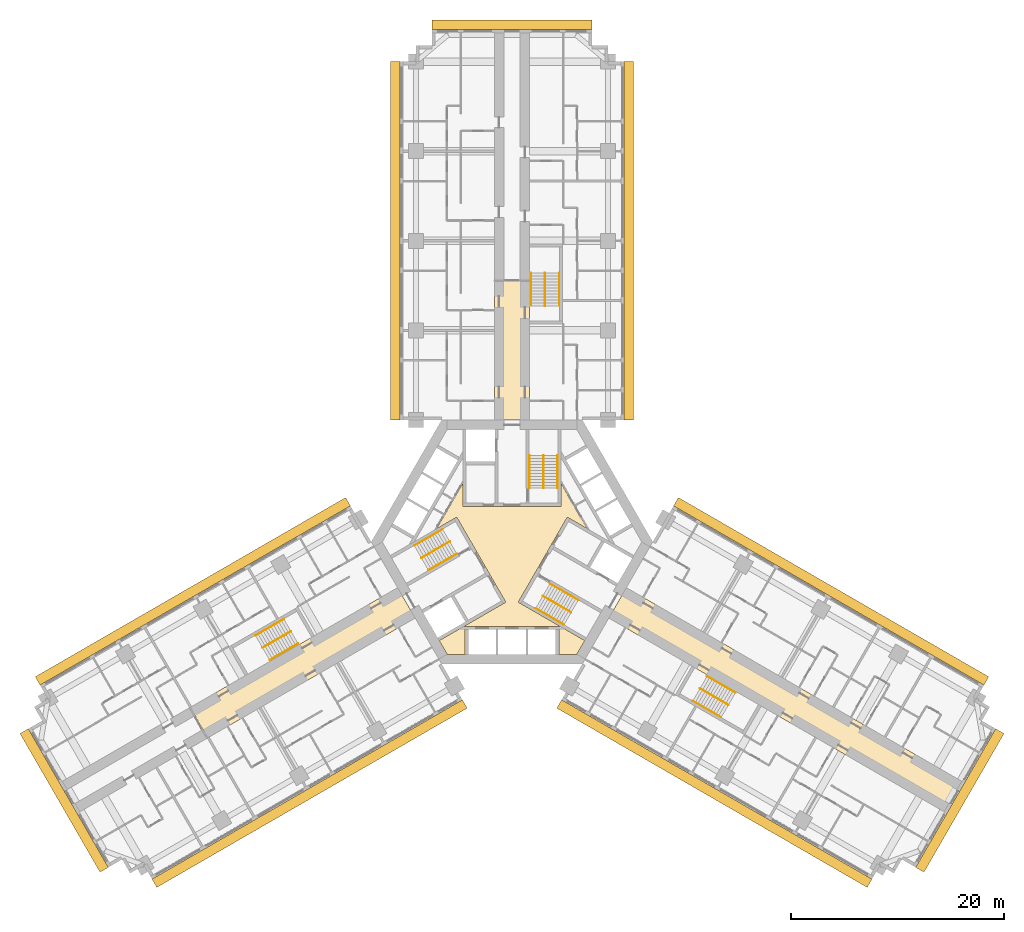
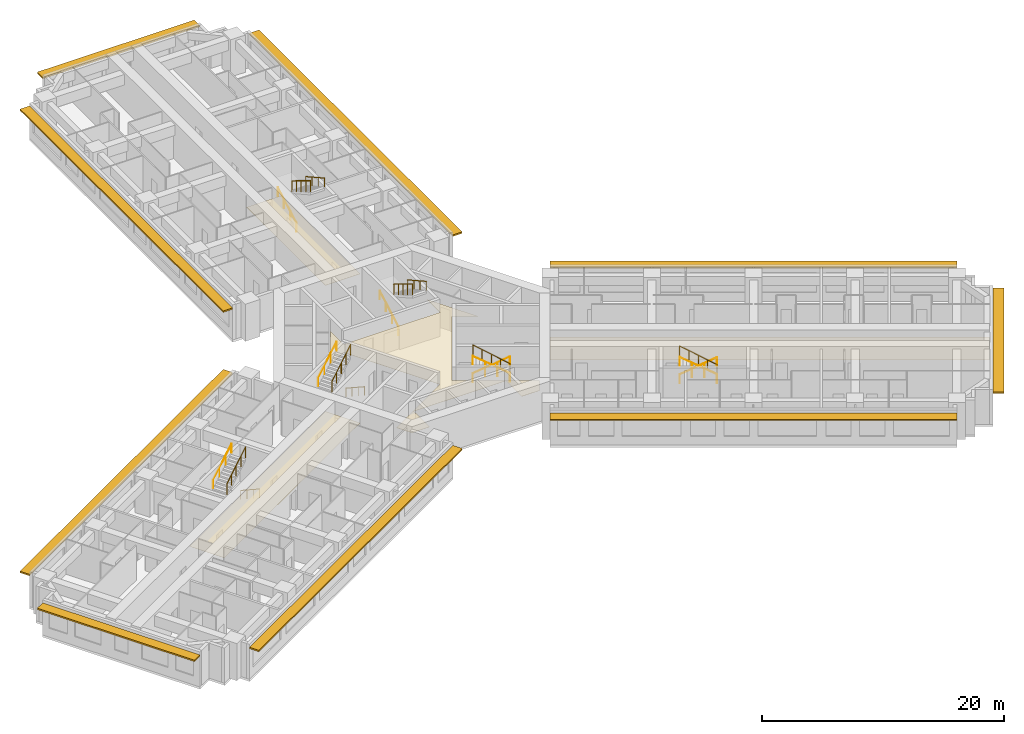
# One storey, part 16 of 16: 18 railings, 4 coverings, 3 shading devices.
"""IFC4 building model written with IfcOpenShell, lengths in metres."""

from ifc_helpers import new_model, si_unit, direction, frame, origin, origin_2d, place, context, subcontext, project, spatial, polyline, rectangle, circle, outline, extrude, material, layer, layer_set, type_object, element, save


model = new_model("IFC4")

# Units and contexts
model_context = context("Model", 3, precision=1e-05, world=origin(), true_north=direction((0.0, 1.0)))
body_context = subcontext(model_context, "Body", "Model", "MODEL_VIEW")
ifc_project = project(units=[si_unit("LENGTHUNIT", "METRE"), si_unit("AREAUNIT", "SQUARE_METRE"), si_unit("VOLUMEUNIT", "CUBIC_METRE"), si_unit("PLANEANGLEUNIT", "RADIAN"), si_unit("MASSUNIT", "GRAM", prefix="KILO")], contexts=[model_context])

# Site, building, storey
site_placement = place(None, origin())
site = spatial("IfcSite", under=ifc_project, at=site_placement, CompositionType="ELEMENT")
building_placement = place(site_placement, origin())
building = spatial("IfcBuilding", under=site, at=building_placement, Name="Impinga Residences", CompositionType="ELEMENT")
storey_placement = place(building_placement, frame((0.0, 0.0, 74.75)))
storey = spatial("IfcBuildingStorey", under=building, at=storey_placement, Name="L18", CompositionType="ELEMENT", Elevation=74.75)

# Coverings
ifc_material_1 = material(Name="Plasterboard 15 mm on steel hangers", Category="steel")
ifc_layer_1 = layer(ifc_material_1, 0.014892578125)
ifc_layer_set_1 = layer_set([ifc_layer_1], Name="Plasterboard 15 mm on steel hangers")
covering_type_1 = type_object("IfcCoveringType", Name="CL1 corridor ceiling, 15 mm plasterboard on hangers", PredefinedType="CEILING", material=ifc_layer_set_1)
covering_1_placement = place(storey_placement, frame((0.0, 0.0, 2.39990234375)))
element("IfcCovering", 1, at=covering_1_placement, inside=storey, type_object=covering_type_1, Name="Corridor ceiling CL1 L18-N00", PredefinedType="CEILING", context=body_context, shape_type="SweptSolid", body=[
    extrude(outline(polyline([(1.64990234375, 11.431640625), (-1.64990234375, 11.431640625), (-1.64990234375, 24.449951171875), (1.64990234375, 24.449951171875), (1.64990234375, 11.431640625)])), origin(), (0.0, 0.0, 1.0), 0.01513671875),
])
covering_2_placement = place(storey_placement, frame((0.0, 0.0, 2.39990234375)))
element("IfcCovering", 2, at=covering_2_placement, inside=storey, type_object=covering_type_1, Name="Corridor ceiling CL1 L18-W00", PredefinedType="CEILING", context=body_context, shape_type="SweptSolid", body=[
    extrude(outline(polyline([(-10.72509765625, -4.286865234375), (-9.074951171875, -7.144775390625), (-28.52294921875, -18.373046875), (-30.1728515625, -15.51513671875), (-10.72509765625, -4.286865234375)])), origin(), (0.0, 0.0, 1.0), 0.01513671875),
])
covering_3_placement = place(storey_placement, frame((0.0, 0.0, 2.39990234375)))
element("IfcCovering", 3, at=covering_3_placement, inside=storey, type_object=covering_type_1, Name="Corridor ceiling CL1 L18-E00", PredefinedType="CEILING", context=body_context, shape_type="SweptSolid", body=[
    extrude(outline(polyline([(10.72509765625, -4.286865234375), (9.074951171875, -7.144775390625), (40.51171875, -25.294677734375), (42.16162109375, -22.436767578125), (10.72509765625, -4.286865234375)])), origin(), (0.0, 0.0, 1.0), 0.01513671875),
])
ifc_material_2 = material(Name="Mineral fibre tiles 20 mm on exposed grid", Category="mineral fibre")
ifc_layer_2 = layer(ifc_material_2, 0.02001953125)
ifc_layer_set_2 = layer_set([ifc_layer_2], Name="CL2 lift lobby ceiling, 20 mm mineral fibre tiles")
covering_type_2 = type_object("IfcCoveringType", Name="CL2 lift lobby ceiling, 20 mm mineral fibre tiles", PredefinedType="CEILING", material=ifc_layer_set_2)
covering_4_placement = place(storey_placement, frame((0.0, 0.0, 2.39990234375)))
element("IfcCovering", 4, at=covering_4_placement, inside=storey, type_object=covering_type_2, Name="Lift lobby ceiling CL2 L18-C01", PredefinedType="CEILING", context=body_context, shape_type="SweptSolid", body=[
    extrude(outline(polyline([(6.080322265625, -10.531494140625), (4.39990234375, -10.531494140625), (4.39990234375, -7.931640625), (-4.39990234375, -7.931640625), (-4.39990234375, -10.531494140625), (-6.080322265625, -10.531494140625), (-6.820556640625, -9.24951171875), (-0.583984375, -5.648681640625), (-5.183837890625, 2.318603515625), (-7.059326171875, 1.23583984375), (-4.60009765625, 5.49560546875), (-4.60009765625, 3.330078125), (4.60009765625, 3.330078125), (4.60009765625, 5.49560546875), (7.059326171875, 1.23583984375), (5.183837890625, 2.318603515625), (0.583984375, -5.648681640625), (6.820556640625, -9.24951171875), (6.080322265625, -10.531494140625)])), origin(), (0.0, 0.0, 1.0), 0.02001953125),
])

# Railings
ifc_material_3 = material(Name="Steel guard, powder coated", Category="steel")
railing_type_1 = type_object("IfcRailingType", Name="GR1 stair guard 1100", PredefinedType="GUARDRAIL", material=ifc_material_3)
railing_1_placement = place(storey_placement, frame((2.949951171875, 8.110107421875, 1.875)))
element("IfcRailing", 5, at=railing_1_placement, inside=storey, type_object=railing_type_1, Name="Stair guard GR1 ST1 L18", PredefinedType="GUARDRAIL", context=body_context, shape_type="SweptSolid", body=[
    extrude(circle(Radius=0.02392578125, at=origin_2d()), frame((0.0, 0.0, 1.076171875), z_axis=(0.0, -0.854177636135, 0.519981313056), x_axis=(1.0, 0.0, 0.0)), (0.0, 0.0, 1.0), 3.60595703125),
    extrude(circle(Radius=0.02099609375, at=origin_2d()), origin(), (0.0, 0.0, 1.0), 1.052001953125),
    extrude(circle(Radius=0.02099609375, at=origin_2d()), frame((0.0, -0.77001953125, 0.46875)), (0.0, 0.0, 1.0), 1.052001953125),
    extrude(circle(Radius=0.02099609375, at=origin_2d()), frame((0.0, -1.5400390625, 0.9375)), (0.0, 0.0, 1.0), 1.052001953125),
    extrude(circle(Radius=0.02099609375, at=origin_2d()), frame((0.0, -2.31005859375, 1.40625)), (0.0, 0.0, 1.0), 1.052001953125),
    extrude(circle(Radius=0.02099609375, at=origin_2d()), frame((0.0, -3.080078125, 1.875)), (0.0, 0.0, 1.0), 1.052001953125),
])
railing_2_placement = place(storey_placement, frame((-8.49853515625, -1.500244140625, 1.875)))
element("IfcRailing", 6, at=railing_2_placement, inside=storey, type_object=railing_type_1, Name="Stair guard GR1 ST2 L18", PredefinedType="GUARDRAIL", context=body_context, shape_type="SweptSolid", body=[
    extrude(circle(Radius=0.02392578125, at=origin_2d()), frame((0.0, 0.0, 1.076171875), z_axis=(0.739746383972, 0.427084037168, 0.519975492303), x_axis=(-0.499992328818, 0.866029832698, 0.0)), (0.0, 0.0, 1.0), 3.60595703125),
    extrude(circle(Radius=0.02099609375, at=origin_2d()), origin(), (0.0, 0.0, 1.0), 1.052001953125),
    extrude(circle(Radius=0.02099609375, at=origin_2d()), frame((0.6669921875, 0.385009765625, 0.46875)), (0.0, 0.0, 1.0), 1.052001953125),
    extrude(circle(Radius=0.02099609375, at=origin_2d()), frame((1.333740234375, 0.77001953125, 0.9375)), (0.0, 0.0, 1.0), 1.052001953125),
    extrude(circle(Radius=0.02099609375, at=origin_2d()), frame((2.00048828125, 1.155029296875, 1.40625)), (0.0, 0.0, 1.0), 1.052001953125),
    extrude(circle(Radius=0.02099609375, at=origin_2d()), frame((2.66748046875, 1.5400390625, 1.875)), (0.0, 0.0, 1.0), 1.052001953125),
])
railing_3_placement = place(storey_placement, frame((5.548583984375, -6.60986328125, 1.875)))
element("IfcRailing", 7, at=railing_3_placement, inside=storey, type_object=railing_type_1, Name="Stair guard GR1 ST3 L18", PredefinedType="GUARDRAIL", context=body_context, shape_type="SweptSolid", body=[
    extrude(circle(Radius=0.02392578125, at=origin_2d()), frame((0.0, 0.0, 1.076171875), z_axis=(-0.739746383972, 0.427084037168, 0.519975492303), x_axis=(-0.499992328818, -0.866029832698, 0.0)), (0.0, 0.0, 1.0), 3.60595703125),
    extrude(circle(Radius=0.02099609375, at=origin_2d()), origin(), (0.0, 0.0, 1.0), 1.052001953125),
    extrude(circle(Radius=0.02099609375, at=origin_2d()), frame((-0.6669921875, 0.385009765625, 0.46875)), (0.0, 0.0, 1.0), 1.052001953125),
    extrude(circle(Radius=0.02099609375, at=origin_2d()), frame((-1.333740234375, 0.77001953125, 0.9375)), (0.0, 0.0, 1.0), 1.052001953125),
    extrude(circle(Radius=0.02099609375, at=origin_2d()), frame((-2.00048828125, 1.155029296875, 1.40625)), (0.0, 0.0, 1.0), 1.052001953125),
    extrude(circle(Radius=0.02099609375, at=origin_2d()), frame((-2.66748046875, 1.5400390625, 1.875)), (0.0, 0.0, 1.0), 1.052001953125),
])
railing_4_placement = place(storey_placement, frame((3.10009765625, 25.21142578125, 1.875)))
element("IfcRailing", 8, at=railing_4_placement, inside=storey, type_object=railing_type_1, Name="Stair guard GR1 WS1 L18", PredefinedType="GUARDRAIL", context=body_context, shape_type="SweptSolid", body=[
    extrude(circle(Radius=0.02392578125, at=origin_2d()), frame((0.0, 0.0, 1.076171875), z_axis=(0.0, -0.854159328187, 0.520011386482), x_axis=(1.0, 0.0, 0.0)), (0.0, 0.0, 1.0), 3.605712890625),
    extrude(circle(Radius=0.02099609375, at=origin_2d()), origin(), (0.0, 0.0, 1.0), 1.052001953125),
    extrude(circle(Radius=0.02099609375, at=origin_2d()), frame((0.0, -0.77001953125, 0.46875)), (0.0, 0.0, 1.0), 1.052001953125),
    extrude(circle(Radius=0.02099609375, at=origin_2d()), frame((0.0, -1.5400390625, 0.9375)), (0.0, 0.0, 1.0), 1.052001953125),
    extrude(circle(Radius=0.02099609375, at=origin_2d()), frame((0.0, -2.309814453125, 1.40625)), (0.0, 0.0, 1.0), 1.052001953125),
    extrude(circle(Radius=0.02099609375, at=origin_2d()), frame((0.0, -3.079833984375, 1.875)), (0.0, 0.0, 1.0), 1.052001953125),
])
railing_5_placement = place(storey_placement, frame((-23.3837890625, -9.921142578125, 1.875)))
element("IfcRailing", 9, at=railing_5_placement, inside=storey, type_object=railing_type_1, Name="Stair guard GR1 WS2 L18", PredefinedType="GUARDRAIL", context=body_context, shape_type="SweptSolid", body=[
    extrude(circle(Radius=0.02392578125, at=origin_2d()), frame((0.0, 0.0, 1.076171875), z_axis=(0.739715726454, 0.427105428144, 0.52000153585), x_axis=(-0.500026652407, 0.866010015463, 0.0)), (0.0, 0.0, 1.0), 3.605712890625),
    extrude(circle(Radius=0.02099609375, at=origin_2d()), origin(), (0.0, 0.0, 1.0), 1.052001953125),
    extrude(circle(Radius=0.02099609375, at=origin_2d()), frame((0.666748046875, 0.385009765625, 0.46875)), (0.0, 0.0, 1.0), 1.052001953125),
    extrude(circle(Radius=0.02099609375, at=origin_2d()), frame((1.33349609375, 0.77001953125, 0.9375)), (0.0, 0.0, 1.0), 1.052001953125),
    extrude(circle(Radius=0.02099609375, at=origin_2d()), frame((2.00048828125, 1.155029296875, 1.40625)), (0.0, 0.0, 1.0), 1.052001953125),
    extrude(circle(Radius=0.02099609375, at=origin_2d()), frame((2.667236328125, 1.5400390625, 1.875)), (0.0, 0.0, 1.0), 1.052001953125),
])
railing_6_placement = place(storey_placement, frame((20.283935546875, -15.29052734375, 1.875)))
element("IfcRailing", 10, at=railing_6_placement, inside=storey, type_object=railing_type_1, Name="Stair guard GR1 WS3 L18", PredefinedType="GUARDRAIL", context=body_context, shape_type="SweptSolid", body=[
    extrude(circle(Radius=0.02392578125, at=origin_2d()), frame((0.0, 0.0, 1.076171875), z_axis=(-0.739746383972, 0.427084037168, 0.519975492303), x_axis=(-0.499992328818, -0.866029832698, 0.0)), (0.0, 0.0, 1.0), 3.60595703125),
    extrude(circle(Radius=0.02099609375, at=origin_2d()), origin(), (0.0, 0.0, 1.0), 1.052001953125),
    extrude(circle(Radius=0.02099609375, at=origin_2d()), frame((-0.6669921875, 0.385009765625, 0.46875)), (0.0, 0.0, 1.0), 1.052001953125),
    extrude(circle(Radius=0.02099609375, at=origin_2d()), frame((-1.333740234375, 0.77001953125, 0.9375)), (0.0, 0.0, 1.0), 1.052001953125),
    extrude(circle(Radius=0.02099609375, at=origin_2d()), frame((-2.00048828125, 1.155029296875, 1.40625)), (0.0, 0.0, 1.0), 1.052001953125),
    extrude(circle(Radius=0.02099609375, at=origin_2d()), frame((-2.66748046875, 1.5400390625, 1.875)), (0.0, 0.0, 1.0), 1.052001953125),
])
ifc_material_4 = material(Name="Steel handrail tube 42 mm, powder coated", Category="steel")
railing_type_2 = type_object("IfcRailingType", Name="HR1 stair handrail, 42 mm steel tube, 900 above the pitch line", PredefinedType="HANDRAIL", material=ifc_material_4)
railing_7_placement = place(storey_placement, frame((1.62109375, 5.030029296875, 0.15625)))
element("IfcRailing", 11, at=railing_7_placement, inside=storey, type_object=railing_type_2, Name="Stair handrail HR1 ST1 L18", PredefinedType="HANDRAIL", context=body_context, shape_type="SweptSolid", body=[
    extrude(circle(Radius=0.02099609375, at=origin_2d()), frame((0.0, 0.0, 0.87890625), z_axis=(0.0, 0.873241540666, 0.487287606713), x_axis=(-1.0, 0.0, 0.0)), (0.0, 0.0, 1.0), 3.527099609375),
    extrude(circle(Radius=0.012451171875, at=origin_2d()), origin(), (0.0, 0.0, 1.0), 0.85791015625),
    extrude(circle(Radius=0.012451171875, at=origin_2d()), frame((0.0, 1.026611328125, 0.572998046875)), (0.0, 0.0, 1.0), 0.85791015625),
    extrude(circle(Radius=0.012451171875, at=origin_2d()), frame((0.0, 2.053466796875, 1.145751953125)), (0.0, 0.0, 1.0), 0.85791015625),
    extrude(circle(Radius=0.012451171875, at=origin_2d()), frame((0.0, 3.080078125, 1.71875)), (0.0, 0.0, 1.0), 0.85791015625),
])
railing_8_placement = place(storey_placement, frame((4.279052734375, 8.110107421875, 2.03125)))
element("IfcRailing", 12, at=railing_8_placement, inside=storey, type_object=railing_type_2, Name="Stair handrail HR1 ST1 L18", PredefinedType="HANDRAIL", context=body_context, shape_type="SweptSolid", body=[
    extrude(circle(Radius=0.02099609375, at=origin_2d()), frame((0.0, 0.0, 0.87890625), z_axis=(0.0, -0.873241540666, 0.487287606713), x_axis=(1.0, 0.0, 0.0)), (0.0, 0.0, 1.0), 3.527099609375),
    extrude(circle(Radius=0.012451171875, at=origin_2d()), origin(), (0.0, 0.0, 1.0), 0.85791015625),
    extrude(circle(Radius=0.012451171875, at=origin_2d()), frame((0.0, -1.026611328125, 0.572998046875)), (0.0, 0.0, 1.0), 0.85791015625),
    extrude(circle(Radius=0.012451171875, at=origin_2d()), frame((0.0, -2.053466796875, 1.145751953125)), (0.0, 0.0, 1.0), 0.85791015625),
    extrude(circle(Radius=0.012451171875, at=origin_2d()), frame((0.0, -3.080078125, 1.71875)), (0.0, 0.0, 1.0), 0.85791015625),
])
railing_9_placement = place(storey_placement, frame((-5.16650390625, -1.111083984375, 0.15625)))
element("IfcRailing", 13, at=railing_9_placement, inside=storey, type_object=railing_type_2, Name="Stair handrail HR1 ST2 L18", PredefinedType="HANDRAIL", context=body_context, shape_type="SweptSolid", body=[
    extrude(circle(Radius=0.02099609375, at=origin_2d()), frame((0.0, 0.0, 0.87890625), z_axis=(-0.756255980417, -0.436615662133, 0.487281905742), x_axis=(0.499992328818, -0.866029832698, 0.0)), (0.0, 0.0, 1.0), 3.527099609375),
    extrude(circle(Radius=0.012451171875, at=origin_2d()), origin(), (0.0, 0.0, 1.0), 0.85791015625),
    extrude(circle(Radius=0.012451171875, at=origin_2d()), frame((-0.88916015625, -0.513427734375, 0.572998046875)), (0.0, 0.0, 1.0), 0.85791015625),
    extrude(circle(Radius=0.012451171875, at=origin_2d()), frame((-1.7783203125, -1.026611328125, 1.145751953125)), (0.0, 0.0, 1.0), 0.85791015625),
    extrude(circle(Radius=0.012451171875, at=origin_2d()), frame((-2.66748046875, -1.5400390625, 1.71875)), (0.0, 0.0, 1.0), 0.85791015625),
])
railing_10_placement = place(storey_placement, frame((-9.1630859375, -0.349365234375, 2.03125)))
element("IfcRailing", 14, at=railing_10_placement, inside=storey, type_object=railing_type_2, Name="Stair handrail HR1 ST2 L18", PredefinedType="HANDRAIL", context=body_context, shape_type="SweptSolid", body=[
    extrude(circle(Radius=0.02099609375, at=origin_2d()), frame((0.0, 0.0, 0.87890625), z_axis=(0.756255980417, 0.436615662133, 0.487281905742), x_axis=(-0.499992328818, 0.866029832698, 0.0)), (0.0, 0.0, 1.0), 3.527099609375),
    extrude(circle(Radius=0.012451171875, at=origin_2d()), origin(), (0.0, 0.0, 1.0), 0.85791015625),
    extrude(circle(Radius=0.012451171875, at=origin_2d()), frame((0.88916015625, 0.513427734375, 0.572998046875)), (0.0, 0.0, 1.0), 0.85791015625),
    extrude(circle(Radius=0.012451171875, at=origin_2d()), frame((1.7783203125, 1.026611328125, 1.145751953125)), (0.0, 0.0, 1.0), 0.85791015625),
    extrude(circle(Radius=0.012451171875, at=origin_2d()), frame((2.66748046875, 1.5400390625, 1.71875)), (0.0, 0.0, 1.0), 0.85791015625),
])
railing_11_placement = place(storey_placement, frame((3.545654296875, -3.9189453125, 0.15625)))
element("IfcRailing", 15, at=railing_11_placement, inside=storey, type_object=railing_type_2, Name="Stair handrail HR1 ST3 L18", PredefinedType="HANDRAIL", context=body_context, shape_type="SweptSolid", body=[
    extrude(circle(Radius=0.02099609375, at=origin_2d()), frame((0.0, 0.0, 0.87890625), z_axis=(0.756249203677, -0.436582492228, 0.487322141317), x_axis=(0.499967199496, 0.866044340336, 0.0)), (0.0, 0.0, 1.0), 3.52685546875),
    extrude(circle(Radius=0.012451171875, at=origin_2d()), origin(), (0.0, 0.0, 1.0), 0.85791015625),
    extrude(circle(Radius=0.012451171875, at=origin_2d()), frame((0.88916015625, -0.51318359375, 0.572998046875)), (0.0, 0.0, 1.0), 0.85791015625),
    extrude(circle(Radius=0.012451171875, at=origin_2d()), frame((1.778076171875, -1.026611328125, 1.145751953125)), (0.0, 0.0, 1.0), 0.85791015625),
    extrude(circle(Radius=0.012451171875, at=origin_2d()), frame((2.667236328125, -1.539794921875, 1.71875)), (0.0, 0.0, 1.0), 0.85791015625),
])
railing_12_placement = place(storey_placement, frame((4.884033203125, -7.7607421875, 2.03125)))
element("IfcRailing", 16, at=railing_12_placement, inside=storey, type_object=railing_type_2, Name="Stair handrail HR1 ST3 L18", PredefinedType="HANDRAIL", context=body_context, shape_type="SweptSolid", body=[
    extrude(circle(Radius=0.02099609375, at=origin_2d()), frame((0.0, 0.0, 0.87890625), z_axis=(-0.756255980417, 0.436615662133, 0.487281905742), x_axis=(-0.499992328818, -0.866029832698, 0.0)), (0.0, 0.0, 1.0), 3.527099609375),
    extrude(circle(Radius=0.012451171875, at=origin_2d()), origin(), (0.0, 0.0, 1.0), 0.85791015625),
    extrude(circle(Radius=0.012451171875, at=origin_2d()), frame((-0.88916015625, 0.513427734375, 0.572998046875)), (0.0, 0.0, 1.0), 0.85791015625),
    extrude(circle(Radius=0.012451171875, at=origin_2d()), frame((-1.7783203125, 1.026611328125, 1.145751953125)), (0.0, 0.0, 1.0), 0.85791015625),
    extrude(circle(Radius=0.012451171875, at=origin_2d()), frame((-2.66748046875, 1.5400390625, 1.71875)), (0.0, 0.0, 1.0), 0.85791015625),
])
railing_13_placement = place(storey_placement, frame((1.77099609375, 22.131591796875, 0.15625)))
element("IfcRailing", 17, at=railing_13_placement, inside=storey, type_object=railing_type_2, Name="Stair handrail HR1 WS1 L18", PredefinedType="HANDRAIL", context=body_context, shape_type="SweptSolid", body=[
    extrude(circle(Radius=0.02099609375, at=origin_2d()), frame((0.0, 0.0, 0.87890625), z_axis=(0.0, 0.873225103656, 0.487317061414), x_axis=(-1.0, 0.0, 0.0)), (0.0, 0.0, 1.0), 3.52685546875),
    extrude(circle(Radius=0.012451171875, at=origin_2d()), origin(), (0.0, 0.0, 1.0), 0.85791015625),
    extrude(circle(Radius=0.012451171875, at=origin_2d()), frame((0.0, 1.026611328125, 0.572998046875)), (0.0, 0.0, 1.0), 0.85791015625),
    extrude(circle(Radius=0.012451171875, at=origin_2d()), frame((0.0, 2.05322265625, 1.145751953125)), (0.0, 0.0, 1.0), 0.85791015625),
    extrude(circle(Radius=0.012451171875, at=origin_2d()), frame((0.0, 3.079833984375, 1.71875)), (0.0, 0.0, 1.0), 0.85791015625),
])
railing_14_placement = place(storey_placement, frame((4.428955078125, 25.21142578125, 2.03125)))
element("IfcRailing", 18, at=railing_14_placement, inside=storey, type_object=railing_type_2, Name="Stair handrail HR1 WS1 L18", PredefinedType="HANDRAIL", context=body_context, shape_type="SweptSolid", body=[
    extrude(circle(Radius=0.02099609375, at=origin_2d()), frame((0.0, 0.0, 0.87890625), z_axis=(0.0, -0.873225103656, 0.487317061414), x_axis=(1.0, 0.0, 0.0)), (0.0, 0.0, 1.0), 3.52685546875),
    extrude(circle(Radius=0.012451171875, at=origin_2d()), origin(), (0.0, 0.0, 1.0), 0.85791015625),
    extrude(circle(Radius=0.012451171875, at=origin_2d()), frame((0.0, -1.026611328125, 0.572998046875)), (0.0, 0.0, 1.0), 0.85791015625),
    extrude(circle(Radius=0.012451171875, at=origin_2d()), frame((0.0, -2.05322265625, 1.145751953125)), (0.0, 0.0, 1.0), 0.85791015625),
    extrude(circle(Radius=0.012451171875, at=origin_2d()), frame((0.0, -3.079833984375, 1.71875)), (0.0, 0.0, 1.0), 0.85791015625),
])
railing_15_placement = place(storey_placement, frame((-20.052001953125, -9.531982421875, 0.15625)))
element("IfcRailing", 19, at=railing_15_placement, inside=storey, type_object=railing_type_2, Name="Stair handrail HR1 WS2 L18", PredefinedType="HANDRAIL", context=body_context, shape_type="SweptSolid", body=[
    extrude(circle(Radius=0.02099609375, at=origin_2d()), frame((0.0, 0.0, 0.87890625), z_axis=(-0.756226348243, -0.436638517594, 0.487307413422), x_axis=(0.500026652407, -0.866010015463, 0.0)), (0.0, 0.0, 1.0), 3.527099609375),
    extrude(circle(Radius=0.012451171875, at=origin_2d()), origin(), (0.0, 0.0, 1.0), 0.85791015625),
    extrude(circle(Radius=0.012451171875, at=origin_2d()), frame((-0.88916015625, -0.513427734375, 0.572998046875)), (0.0, 0.0, 1.0), 0.85791015625),
    extrude(circle(Radius=0.012451171875, at=origin_2d()), frame((-1.778076171875, -1.026611328125, 1.145751953125)), (0.0, 0.0, 1.0), 0.85791015625),
    extrude(circle(Radius=0.012451171875, at=origin_2d()), frame((-2.667236328125, -1.5400390625, 1.71875)), (0.0, 0.0, 1.0), 0.85791015625),
])
railing_16_placement = place(storey_placement, frame((-24.04833984375, -8.77001953125, 2.03125)))
element("IfcRailing", 20, at=railing_16_placement, inside=storey, type_object=railing_type_2, Name="Stair handrail HR1 WS2 L18", PredefinedType="HANDRAIL", context=body_context, shape_type="SweptSolid", body=[
    extrude(circle(Radius=0.02099609375, at=origin_2d()), frame((0.0, 0.0, 0.87890625), z_axis=(0.756278834354, 0.436559638319, 0.487296631324), x_axis=(-0.499932877268, 0.866064153644, 0.0)), (0.0, 0.0, 1.0), 3.527099609375),
    extrude(circle(Radius=0.012451171875, at=origin_2d()), origin(), (0.0, 0.0, 1.0), 0.85791015625),
    extrude(circle(Radius=0.012451171875, at=origin_2d()), frame((0.88916015625, 0.51318359375, 0.572998046875)), (0.0, 0.0, 1.0), 0.85791015625),
    extrude(circle(Radius=0.012451171875, at=origin_2d()), frame((1.7783203125, 1.026611328125, 1.145751953125)), (0.0, 0.0, 1.0), 0.85791015625),
    extrude(circle(Radius=0.012451171875, at=origin_2d()), frame((2.66748046875, 1.539794921875, 1.71875)), (0.0, 0.0, 1.0), 0.85791015625),
])
railing_17_placement = place(storey_placement, frame((18.281005859375, -12.599609375, 0.15625)))
element("IfcRailing", 21, at=railing_17_placement, inside=storey, type_object=railing_type_2, Name="Stair handrail HR1 WS3 L18", PredefinedType="HANDRAIL", context=body_context, shape_type="SweptSolid", body=[
    extrude(circle(Radius=0.02099609375, at=origin_2d()), frame((0.0, 0.0, 0.87890625), z_axis=(0.756249203677, -0.436582492228, 0.487322141317), x_axis=(0.499967199496, 0.866044340336, 0.0)), (0.0, 0.0, 1.0), 3.52685546875),
    extrude(circle(Radius=0.012451171875, at=origin_2d()), origin(), (0.0, 0.0, 1.0), 0.85791015625),
    extrude(circle(Radius=0.012451171875, at=origin_2d()), frame((0.88916015625, -0.51318359375, 0.572998046875)), (0.0, 0.0, 1.0), 0.85791015625),
    extrude(circle(Radius=0.012451171875, at=origin_2d()), frame((1.778076171875, -1.026611328125, 1.145751953125)), (0.0, 0.0, 1.0), 0.85791015625),
    extrude(circle(Radius=0.012451171875, at=origin_2d()), frame((2.667236328125, -1.539794921875, 1.71875)), (0.0, 0.0, 1.0), 0.85791015625),
])
railing_18_placement = place(storey_placement, frame((19.619384765625, -16.44140625, 2.03125)))
element("IfcRailing", 22, at=railing_18_placement, inside=storey, type_object=railing_type_2, Name="Stair handrail HR1 WS3 L18", PredefinedType="HANDRAIL", context=body_context, shape_type="SweptSolid", body=[
    extrude(circle(Radius=0.02099609375, at=origin_2d()), frame((0.0, 0.0, 0.87890625), z_axis=(-0.756255980417, 0.436615662133, 0.487281905742), x_axis=(-0.499992328818, -0.866029832698, 0.0)), (0.0, 0.0, 1.0), 3.527099609375),
    extrude(circle(Radius=0.012451171875, at=origin_2d()), origin(), (0.0, 0.0, 1.0), 0.85791015625),
    extrude(circle(Radius=0.012451171875, at=origin_2d()), frame((-0.88916015625, 0.513427734375, 0.572998046875)), (0.0, 0.0, 1.0), 0.85791015625),
    extrude(circle(Radius=0.012451171875, at=origin_2d()), frame((-1.7783203125, 1.026611328125, 1.145751953125)), (0.0, 0.0, 1.0), 0.85791015625),
    extrude(circle(Radius=0.012451171875, at=origin_2d()), frame((-2.66748046875, 1.5400390625, 1.71875)), (0.0, 0.0, 1.0), 0.85791015625),
])

# Shading devices
ifc_material_5 = material(Name="Terracotta sunshade blades on aluminium brackets", Category="masonry")
ifc_layer_3 = layer(ifc_material_5, 0.14990234375)
ifc_layer_set_3 = layer_set([ifc_layer_3], Name="SS1 SUNSHADE terracotta sunshade band 900")
shading_device_type = type_object("IfcShadingDeviceType", Name="SS1 SUNSHADE terracotta sunshade band 900", PredefinedType="USERDEFINED", material=ifc_layer_set_3)
shading_device_1_placement = place(storey_placement, frame((-10.949951171875, 28.2314453125, 3.10009765625), z_axis=(0.0, 0.0, 1.0), x_axis=(0.0, 1.0, 0.0)))
element("IfcShadingDevice", 23, at=shading_device_1_placement, inside=storey, type_object=shading_device_type, Name="SUNSHADE band L18 NORTH WING", ObjectType="SUNSHADE", PredefinedType="USERDEFINED", context=body_context, shape_type="SweptSolid", body=[
    extrude(rectangle(XDim=33.60009765625, YDim=0.89990234375, at=origin_2d()), origin(), (0.0, 0.0, 1.0), 0.14990234375),
    extrude(rectangle(XDim=15.0, YDim=0.89990234375, at=origin_2d()), frame((20.25, -10.949951171875, 0.0), z_axis=(0.0, 0.0, 1.0), x_axis=(0.0, -1.0, 0.0)), (0.0, 0.0, 1.0), 0.14990234375),
    extrude(rectangle(XDim=33.60009765625, YDim=0.89990234375, at=origin_2d()), frame((0.0, -21.89990234375, 0.0), z_axis=(0.0, 0.0, 1.0), x_axis=(-1.0, 0.0, 0.0)), (0.0, 0.0, 1.0), 0.14990234375),
])
shading_device_2_placement = place(storey_placement, frame((-41.986328125, -24.24072265625, 3.10009765625), z_axis=(0.0, 0.0, 1.0), x_axis=(-0.5, 0.866025403784, 0.0)))
element("IfcShadingDevice", 24, at=shading_device_2_placement, inside=storey, type_object=shading_device_type, Name="SUNSHADE band L18 WEST WING", ObjectType="SUNSHADE", PredefinedType="USERDEFINED", context=body_context, shape_type="SweptSolid", body=[
    extrude(rectangle(XDim=15.0, YDim=0.89990234375, at=origin_2d()), origin(), (0.0, 0.0, 1.0), 0.14990234375),
    extrude(rectangle(XDim=33.60009765625, YDim=0.89990234375, at=origin_2d()), frame((10.949951171875, -20.25, 0.0), z_axis=(0.0, 0.0, 1.0), x_axis=(0.0, -1.0, 0.0)), (0.0, 0.0, 1.0), 0.14990234375),
    extrude(rectangle(XDim=33.60009765625, YDim=0.89990234375, at=origin_2d()), frame((-10.949951171875, -20.250244140625, 0.0), z_axis=(0.0, 0.0, 1.0), x_axis=(0.0, 1.0, 0.0)), (0.0, 0.0, 1.0), 0.14990234375),
])
shading_device_3_placement = place(storey_placement, frame((29.92431640625, -4.6328125, 3.10009765625), z_axis=(0.0, 0.0, 1.0), x_axis=(0.866025403784, -0.5, 0.0)))
element("IfcShadingDevice", 25, at=shading_device_3_placement, inside=storey, type_object=shading_device_type, Name="SUNSHADE band L18 EAST WING", ObjectType="SUNSHADE", PredefinedType="USERDEFINED", context=body_context, shape_type="SweptSolid", body=[
    extrude(rectangle(XDim=33.60009765625, YDim=0.89990234375, at=origin_2d()), origin(), (0.0, 0.0, 1.0), 0.14990234375),
    extrude(rectangle(XDim=15.0, YDim=0.89990234375, at=origin_2d()), frame((20.25, -10.949951171875, 0.0), z_axis=(0.0, 0.0, 1.0), x_axis=(0.0, -1.0, 0.0)), (0.0, 0.0, 1.0), 0.14990234375),
    extrude(rectangle(XDim=33.60009765625, YDim=0.89990234375, at=origin_2d()), frame((-0.000244140625, -21.89990234375, 0.0), z_axis=(0.0, 0.0, 1.0), x_axis=(-1.0, 0.0, 0.0)), (0.0, 0.0, 1.0), 0.14990234375),
])

save(model, "model.ifc")
